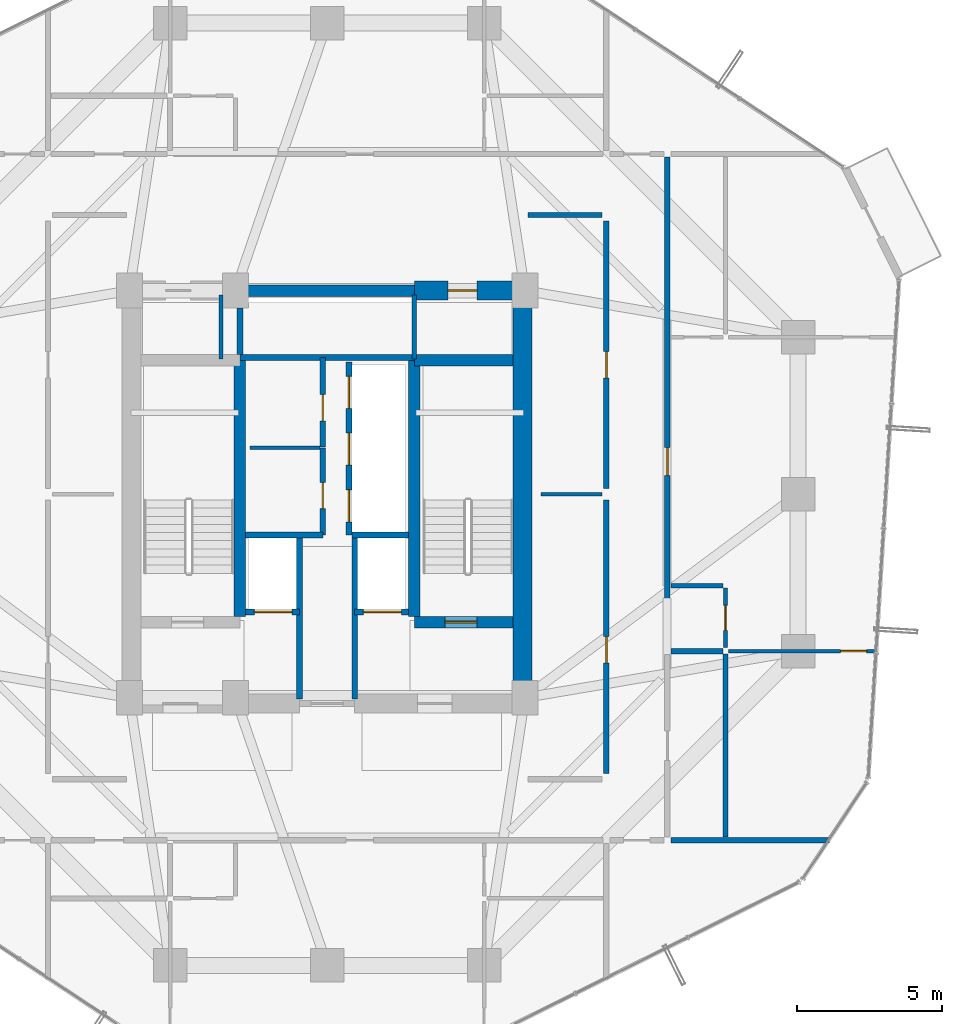
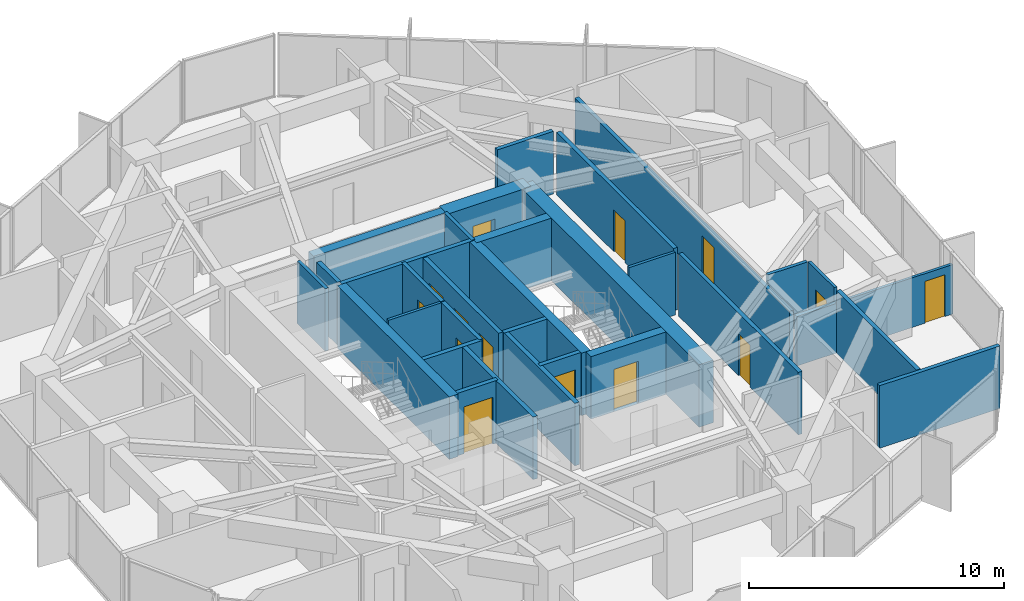
# One storey, part 27 of 30: 32 walls, 14 doors, 14 openings.
"""IFC4 building model written with IfcOpenShell, lengths in metres."""

import ifcopenshell
import ifcopenshell.guid

model = None  # the IFC model being written
_history = None  # IfcOwnerHistory: only IFC2X3 demands one
_inside = {}  # id of a spatial element -> (the spatial element, [elements in it])
_under = {}  # id of a project, library or spatial element -> (it, [spatial elements below it])
_declared = {}  # id of a project -> (the project, [libraries it declares])
_typed = {}  # id of a type object -> (the type object, [elements of that type])
_made_of = {}  # id of a material, layer set ... -> (it, [elements and type objects made of it])


def new_model(schema):
    """Start an empty IFC model of exactly this schema.

    Asked for "IFC4X3", IfcOpenShell would pick the latest addendum, in which some entities
    have other attributes; the version numbers below select the first issue.
    IFC2X3 requires an IfcOwnerHistory on every rooted entity: one is made here for all.
    """
    global model, _history
    if schema == "IFC4X3":
        model = ifcopenshell.file(schema_version=(4, 3, 0, 0))
    else:
        model = ifcopenshell.file(schema=schema)
    _inside.clear()
    _under.clear()
    _declared.clear()
    _typed.clear()
    _made_of.clear()
    _history = None
    if model.schema == "IFC2X3":
        org = make("IfcOrganization", Name="unknown")
        user = make(
            "IfcPersonAndOrganization",
            ThePerson=make("IfcPerson", FamilyName="unknown"),
            TheOrganization=org,
        )
        app = make(
            "IfcApplication",
            ApplicationDeveloper=org,
            Version="unknown",
            ApplicationFullName="unknown",
            ApplicationIdentifier="unknown",
        )
        _history = make(
            "IfcOwnerHistory",
            OwningUser=user,
            OwningApplication=app,
            ChangeAction="ADDED",
            CreationDate=0,
        )
    return model


def make(cls, **values):
    """One entity of the class cls with the attributes given. An attribute that is None is left unset."""
    return model.create_entity(
        cls, **{name: value for name, value in values.items() if value is not None}
    )


def rooted(cls, **values):
    """An entity with a GlobalId (a new one), such as an element, a storey or a relation."""
    return make(cls, GlobalId=ifcopenshell.guid.new(), OwnerHistory=_history, **values)


def si_unit(unit_type, name, prefix=None):
    """IfcSIUnit, for example si_unit("LENGTHUNIT", "METRE", prefix="MILLI")."""
    return make("IfcSIUnit", UnitType=unit_type, Prefix=prefix, Name=name)


def assignment(units):
    """IfcUnitAssignment: the units of a project."""
    return None if units is None else make("IfcUnitAssignment", Units=units)


def point(xyz):
    """IfcCartesianPoint."""
    return None if xyz is None else make("IfcCartesianPoint", Coordinates=xyz)


def direction(xyz):
    """IfcDirection."""
    return None if xyz is None else make("IfcDirection", DirectionRatios=xyz)


def frame(location, z_axis=None, x_axis=None):
    """IfcAxis2Placement3D, a coordinate frame: its origin and axes. An axis left out is left unset."""
    return make(
        "IfcAxis2Placement3D",
        Location=point(location),
        Axis=direction(z_axis),
        RefDirection=direction(x_axis),
    )


def frame_2d(location, x_axis=None):
    """IfcAxis2Placement2D, a coordinate frame in the plane: its origin and x axis."""
    return make(
        "IfcAxis2Placement2D", Location=point(location), RefDirection=direction(x_axis)
    )


def origin():
    """The frame at (0, 0, 0) with its axes left unset."""
    return frame((0.0, 0.0, 0.0))


def place(relative_to, where):
    """IfcLocalPlacement: puts the frame where relative to a parent placement (None: the world)."""
    return make(
        "IfcLocalPlacement", PlacementRelTo=relative_to, RelativePlacement=where
    )


def context(
    kind, dimensions, precision=None, world=None, true_north=None, identifier=None
):
    """IfcGeometricRepresentationContext, for example the 3D "Model" context."""
    return make(
        "IfcGeometricRepresentationContext",
        ContextIdentifier=identifier,
        ContextType=kind,
        CoordinateSpaceDimension=dimensions,
        Precision=precision,
        WorldCoordinateSystem=world,
        TrueNorth=true_north,
    )


def subcontext(parent, identifier, kind, view, scale=None):
    """IfcGeometricRepresentationSubContext, for example "Body" below "Model"."""
    return make(
        "IfcGeometricRepresentationSubContext",
        ContextIdentifier=identifier,
        ContextType=kind,
        ParentContext=parent,
        TargetScale=scale,
        TargetView=view,
    )


def project(units=None, contexts=None):
    """IfcProject with its units and contexts."""
    return rooted(
        "IfcProject",
        Name="project",
        RepresentationContexts=contexts,
        UnitsInContext=assignment(units),
    )


def spatial(cls, under=None, at=None, **own):
    """A site, building, storey or space (cls), placed at a placement, below another one or the project."""
    s = rooted(cls, ObjectPlacement=at, **own)
    if under is not None:
        _under.setdefault(under.id(), (under, []))[1].append(s)
    return s


def profile(cls, at=None, kind="AREA", **sizes):
    """A parametric profile (cls). Its sizes go by their IFC names, for example OverallWidth=200.0."""
    return make(cls, ProfileType=kind, Position=at, **sizes)


def rectangle(**sizes):
    """IfcRectangleProfileDef."""
    return profile("IfcRectangleProfileDef", **sizes)


def extrude(swept, where, along, depth):
    """IfcExtrudedAreaSolid: the profile swept, set in the frame where, extruded along a direction by depth."""
    return make(
        "IfcExtrudedAreaSolid",
        SweptArea=swept,
        Position=where,
        ExtrudedDirection=direction(along),
        Depth=depth,
    )


def shape(context_of_items, identifier, shape_type, items):
    """IfcShapeRepresentation: the items that make up one representation, for example the "Body"."""
    return make(
        "IfcShapeRepresentation",
        ContextOfItems=context_of_items,
        RepresentationIdentifier=identifier,
        RepresentationType=shape_type,
        Items=items,
    )


def source(mapping_origin, context_of_items, identifier, shape_type, items):
    """IfcRepresentationMap: a shape defined once, which mapped items show again and again."""
    return make(
        "IfcRepresentationMap",
        MappingOrigin=mapping_origin,
        MappedRepresentation=shape(context_of_items, identifier, shape_type, items),
    )


def transform(
    local_origin,
    x_axis=None,
    y_axis=None,
    z_axis=None,
    scale=None,
    scale2=None,
    scale3=None,
    uniform=True,
):
    """IfcCartesianTransformationOperator3D, or its non-uniform kind. x_axis, y_axis, z_axis: its Axis1, 2, 3."""
    if uniform:
        return make(
            "IfcCartesianTransformationOperator3D",
            Axis1=direction(x_axis),
            Axis2=direction(y_axis),
            LocalOrigin=point(local_origin),
            Scale=scale,
            Axis3=direction(z_axis),
        )
    return make(
        "IfcCartesianTransformationOperator3DnonUniform",
        Axis1=direction(x_axis),
        Axis2=direction(y_axis),
        LocalOrigin=point(local_origin),
        Scale=scale,
        Axis3=direction(z_axis),
        Scale2=scale2,
        Scale3=scale3,
    )


def mapped(mapping_source, mapping_target):
    """IfcMappedItem: shows the shape of a source again, moved by a transform."""
    return make(
        "IfcMappedItem", MappingSource=mapping_source, MappingTarget=mapping_target
    )


def material(Name=None, Category=None):
    """IfcMaterial."""
    return make("IfcMaterial", Name=Name, Category=Category)


def layer(
    of_material, thickness, ventilated=None, Name=None, Category=None, Priority=None
):
    """IfcMaterialLayer: one layer of a wall or slab, of a material (None: an air gap)."""
    return make(
        "IfcMaterialLayer",
        Material=of_material,
        LayerThickness=thickness,
        IsVentilated=ventilated,
        Name=Name,
        Category=Category,
        Priority=Priority,
    )


def layer_set(layers, Name=None):
    """IfcMaterialLayerSet."""
    return make("IfcMaterialLayerSet", MaterialLayers=layers, LayerSetName=Name)


def made_of(thing, what):
    """Note that an element or type object is made of a material, layer set ...; save() writes the relation."""
    if what is not None:
        _made_of.setdefault(what.id(), (what, []))[1].append(thing)
    return thing


def type_object(cls, material=None, **own):
    """A type object (cls), such as IfcWallType, which elements share."""
    return made_of(rooted(cls, **own), material)


def element(
    cls,
    number,
    at=None,
    inside=None,
    cuts=None,
    type_object=None,
    material=None,
    context=None,
    identifier="Body",
    shape_type=None,
    held_by="IfcProductDefinitionShape",
    body=None,
    shapes=None,
    **own,
):
    """One element of the class cls, such as IfcWall. Its Tag is "e" and its number.

    at: its placement. inside: the storey or other place that contains it. cuts: it is an
    opening in that element (IfcRelVoidsElement). A single representation is given by context,
    identifier, shape_type and body (its items); several are given by shapes. held_by: the class
    of the entity that holds the representations. save() writes the other relations.
    """
    e = rooted(cls, Tag="e%d" % number, ObjectPlacement=at, **own)
    if body is not None:
        shapes = [shape(context, identifier, shape_type, body)]
    if shapes is not None:
        e.Representation = make(held_by, Representations=shapes)
    if inside is not None:
        _inside.setdefault(inside.id(), (inside, []))[1].append(e)
    if cuts is not None:
        rooted(
            "IfcRelVoidsElement", RelatingBuildingElement=cuts, RelatedOpeningElement=e
        )
    if type_object is not None:
        _typed.setdefault(type_object.id(), (type_object, []))[1].append(e)
    return made_of(e, material)


def fill(opening, filler):
    """IfcRelFillsElement: the door or window that sits in an opening."""
    return rooted(
        "IfcRelFillsElement",
        RelatingOpeningElement=opening,
        RelatedBuildingElement=filler,
    )


def aggregate(whole, parts):
    """IfcRelAggregates: a whole, such as a stair, and the parts it consists of."""
    return rooted("IfcRelAggregates", RelatingObject=whole, RelatedObjects=parts)


def save(model, path):
    """Write the relations noted so far, then the file.

    IfcRelAggregates (storeys below a building ...), IfcRelContainedInSpatialStructure (elements
    in a storey), IfcRelDefinesByType, IfcRelAssociatesMaterial and IfcRelDeclares: one each for
    every whole, place, type object, material and project.
    """
    for whole, parts in _under.values():
        aggregate(whole, parts)
    for where, things in _inside.values():
        rooted(
            "IfcRelContainedInSpatialStructure",
            RelatedElements=things,
            RelatingStructure=where,
        )
    for kind, things in _typed.values():
        rooted("IfcRelDefinesByType", RelatedObjects=things, RelatingType=kind)
    for what, things in _made_of.values():
        rooted("IfcRelAssociatesMaterial", RelatedObjects=things, RelatingMaterial=what)
    for by, libraries in _declared.values():
        rooted("IfcRelDeclares", RelatingContext=by, RelatedDefinitions=libraries)
    model.write(path)


model = new_model("IFC4")

# Units and contexts
model_context = context("Model", 3, precision=1e-05, world=origin(), true_north=direction((0.0, 1.0)))
body_context = subcontext(model_context, "Body", "Model", "MODEL_VIEW")
ifc_project = project(units=[si_unit("LENGTHUNIT", "METRE"), si_unit("AREAUNIT", "SQUARE_METRE"), si_unit("VOLUMEUNIT", "CUBIC_METRE"), si_unit("PLANEANGLEUNIT", "RADIAN"), si_unit("MASSUNIT", "GRAM", prefix="KILO")], contexts=[model_context])

# Site, building, storey
site_placement = place(None, origin())
site = spatial("IfcSite", under=ifc_project, at=site_placement, CompositionType="ELEMENT")
building_placement = place(site_placement, origin())
building = spatial("IfcBuilding", under=site, at=building_placement, Name="Veraguas Prism Commons", CompositionType="ELEMENT")
storey_placement = place(building_placement, frame((0.0, 0.0, 116.5)))
storey = spatial("IfcBuildingStorey", under=building, at=storey_placement, Name="L32", CompositionType="ELEMENT", Elevation=116.5)

# Wall
ifc_material_1 = material(Name="Concrete C50/60", Category="concrete")
ifc_layer_1 = layer(ifc_material_1, 0.39990234375, Name="Clinic and Mid Core Shear Wall RC 400", Category="concrete")
ifc_layer_set_1 = layer_set([ifc_layer_1], Name="Concrete C50/60")
wall_type_1 = type_object("IfcWallType", Name="Clinic and Mid Core Shear Wall RC 400", PredefinedType="SHEAR", material=ifc_layer_set_1)
wall_1_placement = place(storey_placement, frame((21.0, 31.0, 0.0), z_axis=(0.0, 0.0, 1.0), x_axis=(1.0, 0.0, 0.0)))
element("IfcWall", 1, at=wall_1_placement, inside=storey, type_object=wall_type_1, Name="High-Rise Lift Bank Front Shear Wall L32", PredefinedType="SHEAR", context=body_context, shape_type="SweptSolid", body=[
    extrude(rectangle(XDim=6.0, YDim=0.39990234375, at=frame_2d((3.0, 0.0))), origin(), (0.0, 0.0, 1.0), 3.0),
])

# Wall, opening, door
wall_2_placement = place(storey_placement, frame((27.0, 19.60009765625, 0.0), z_axis=(0.0, 0.0, 1.0), x_axis=(1.0, 0.0, 0.0)))
wall_2 = element("IfcWall", 2, at=wall_2_placement, inside=storey, type_object=wall_type_1, Name="Stair ST-02 South Shear Wall L32", PredefinedType="SHEAR", context=body_context, shape_type="SweptSolid", body=[
    extrude(rectangle(XDim=3.39990234375, YDim=0.39990234375, at=frame_2d((1.699951171875, 0.0))), origin(), (0.0, 0.0, 1.0), 3.0),
])
opening_1_placement = place(wall_2_placement, frame((1.050048828125, 0.0, 0.0)))
opening_1 = element("IfcOpeningElement", 3, at=opening_1_placement, cuts=wall_2, Name="Opening DR-05", PredefinedType="OPENING", context=body_context, shape_type="SweptSolid", body=[
    extrude(rectangle(XDim=1.10009765625, YDim=2.030029296875, at=frame_2d((0.550048828125, 1.01513671875))), frame((0.0, 0.2099609375, 0.0), z_axis=(0.0, -1.0, 0.0), x_axis=(1.0, 0.0, 0.0)), (0.0, 0.0, 1.0), 0.419921875),
])
ifc_material_2 = material(Name="Steel fire-rated door assembly", Category="steel")
door_type_1 = type_object("IfcDoorType", Name="Protected Stair and Refuge Fire Door 1100x2030", OperationType="NOTDEFINED", PredefinedType="DOOR", material=ifc_material_2)
shared_shape_1 = source(origin(), body_context, "Body", "SweptSolid", [
    extrude(rectangle(XDim=1.10009765625, YDim=2.030029296875, at=frame_2d((0.550048828125, 1.01513671875))), frame((0.0, 0.02490234375, 0.0), z_axis=(0.0, -1.0, 0.0), x_axis=(1.0, 0.0, 0.0)), (0.0, 0.0, 1.0), 0.050048828125),
])
door_1_placement = place(opening_1_placement, origin())
door_1 = element("IfcDoor", 4, at=door_1_placement, inside=storey, type_object=door_type_1, Name="Stair ST-02 Enclosure Door L32", OperationType="SINGLE_SWING_RIGHT", OverallHeight=2.030029296875, OverallWidth=1.10009765625, PredefinedType="DOOR", context=body_context, shape_type="MappedRepresentation", body=[
    mapped(shared_shape_1, transform((0.0, 0.0, 0.0), scale=1.0)),
])
fill(opening_1, door_1)

# Walls
for number, where, z_axis, x_axis, name in (
    (5, (21.0, 19.800048828125, 0.0), (0.0, 0.0, 1.0), (0.0, 1.0, 0.0), "Stair ST-01 Inner Shear Wall L32"),
    (6, (27.0, 19.800048828125, 0.0), (0.0, 0.0, 1.0), (0.0, 1.0, 0.0), "Stair ST-02 Inner Shear Wall L32"),
):
    element("IfcWall", number, at=place(storey_placement, frame(where, z_axis=z_axis, x_axis=x_axis)), inside=storey, type_object=wall_type_1, Name=name, PredefinedType="SHEAR", context=body_context, shape_type="SweptSolid", body=[
        extrude(rectangle(XDim=8.800048828125, YDim=0.39990234375, at=frame_2d((4.39990234375, 0.0))), origin(), (0.0, 0.0, 1.0), 3.0),
    ])
wall_3_placement = place(storey_placement, frame((27.0, 28.60009765625, 0.0), z_axis=(0.0, 0.0, 1.0), x_axis=(1.0, 0.0, 0.0)))
element("IfcWall", 7, at=wall_3_placement, inside=storey, type_object=wall_type_1, Name="Stair ST-02 North Shear Wall L32", PredefinedType="SHEAR", context=body_context, shape_type="SweptSolid", body=[
    extrude(rectangle(XDim=3.39990234375, YDim=0.39990234375, at=frame_2d((1.699951171875, 0.0))), origin(), (0.0, 0.0, 1.0), 3.0),
])
ifc_material_3 = material(Name="Concrete C55/67", Category="concrete")
ifc_layer_2 = layer(ifc_material_3, 0.64990234375, Name="Core Outer Shear Wall Mid RC 650", Category="concrete")
ifc_layer_set_2 = layer_set([ifc_layer_2], Name="Concrete C55/67")
wall_type_2 = type_object("IfcWallType", Name="Core Outer Shear Wall Mid RC 650", PredefinedType="SHEAR", material=ifc_layer_set_2)
wall_4_placement = place(storey_placement, frame((30.72509765625, 16.800048828125, 0.0), z_axis=(0.0, 0.0, 1.0), x_axis=(0.0, 1.0, 0.0)))
element("IfcWall", 8, at=wall_4_placement, inside=storey, type_object=wall_type_2, Name="Central Core East Shear Wall L32", PredefinedType="SHEAR", context=body_context, shape_type="SweptSolid", body=[
    extrude(rectangle(XDim=14.199951171875, YDim=0.64990234375, at=frame_2d((7.10009765625, 0.0))), origin(), (0.0, 0.0, 1.0), 3.0),
])

# Wall, opening, door
wall_5_placement = place(storey_placement, frame((27.0, 31.0, 0.0), z_axis=(0.0, 0.0, 1.0), x_axis=(1.0, 0.0, 0.0)))
wall_5 = element("IfcWall", 9, at=wall_5_placement, inside=storey, type_object=wall_type_2, Name="Central Core North-East Shear Wall L32", PredefinedType="SHEAR", context=body_context, shape_type="SweptSolid", body=[
    extrude(rectangle(XDim=3.800048828125, YDim=0.64990234375, at=frame_2d((1.89990234375, 0.0))), origin(), (0.0, 0.0, 1.0), 3.0),
])
opening_2_placement = place(wall_5_placement, frame((1.14990234375, 0.0, 0.0)))
opening_2 = element("IfcOpeningElement", 10, at=opening_2_placement, cuts=wall_5, Name="Opening DR-13", PredefinedType="OPENING", context=body_context, shape_type="SweptSolid", body=[
    extrude(rectangle(XDim=1.0, YDim=2.010009765625, at=frame_2d((0.5, 1.0048828125))), frame((0.0, 0.3349609375, 0.0), z_axis=(0.0, -1.0, 0.0), x_axis=(1.0, 0.0, 0.0)), (0.0, 0.0, 1.0), 0.669921875),
])
door_type_2 = type_object("IfcDoorType", Name="Core Accessible WC and Clinic Fire Door 1000x2010", OperationType="NOTDEFINED", PredefinedType="DOOR", material=ifc_material_2)
shared_shape_2 = source(origin(), body_context, "Body", "SweptSolid", [
    extrude(rectangle(XDim=1.0, YDim=2.010009765625, at=frame_2d((0.5, 1.0048828125))), frame((0.0, 0.02490234375, 0.0), z_axis=(0.0, -1.0, 0.0), x_axis=(1.0, 0.0, 0.0)), (0.0, 0.0, 1.0), 0.050048828125),
])
door_2_placement = place(opening_2_placement, origin())
door_2 = element("IfcDoor", 11, at=door_2_placement, inside=storey, type_object=door_type_2, Name="Core NE Pantry Door L32", OperationType="SINGLE_SWING_RIGHT", OverallHeight=2.010009765625, OverallWidth=1.0, PredefinedType="DOOR", context=body_context, shape_type="MappedRepresentation", body=[
    mapped(shared_shape_2, transform((0.0, 0.0, 0.0), scale=1.0)),
])
fill(opening_2, door_2)

ifc_material_4 = material(Name="Autoclaved aerated masonry block 10 MPa", Category="masonry")
ifc_layer_3 = layer(ifc_material_4, 0.179931640625, Name="Corridor and Inter-Tenancy Partition 180", Category="masonry")
ifc_layer_set_3 = layer_set([ifc_layer_3], Name="Autoclaved aerated masonry block 10 MPa")
wall_type_3 = type_object("IfcWallType", Name="Corridor and Inter-Tenancy Partition 180", PredefinedType="PARTITIONING", material=ifc_layer_set_3)
wall_6_placement = place(storey_placement, frame((23.85009765625, 22.60009765625, 0.0), z_axis=(0.0, 0.0, 1.0), x_axis=(0.0, 1.0, 0.0)))
wall_6 = element("IfcWall", 12, at=wall_6_placement, inside=storey, type_object=wall_type_3, Name="Co-op Pantry Partition L32", PredefinedType="PARTITIONING", context=body_context, shape_type="SweptSolid", body=[
    extrude(rectangle(XDim=2.97998046875, YDim=0.179931640625, at=frame_2d((1.489990234375, 0.0))), origin(), (0.0, 0.0, 1.0), 3.0),
])
opening_3_placement = place(wall_6_placement, frame((0.89990234375, 0.0, 0.0)))
opening_3 = element("IfcOpeningElement", 13, at=opening_3_placement, cuts=wall_6, Name="Opening DR-14", PredefinedType="OPENING", context=body_context, shape_type="SweptSolid", body=[
    extrude(rectangle(XDim=0.89990234375, YDim=2.010009765625, at=frame_2d((0.449951171875, 1.0048828125))), frame((0.0, 0.099853515625, 0.0), z_axis=(0.0, -1.0, 0.0), x_axis=(1.0, 0.0, 0.0)), (0.0, 0.0, 1.0), 0.199951171875),
])
door_type_3 = type_object("IfcDoorType", Name="Core Service Room Fire Door 900x2010", OperationType="NOTDEFINED", PredefinedType="DOOR", material=ifc_material_2)
shared_shape_3 = source(origin(), body_context, "Body", "SweptSolid", [
    extrude(rectangle(XDim=0.89990234375, YDim=2.010009765625, at=frame_2d((0.449951171875, 1.0048828125))), frame((0.0, 0.02490234375, 0.0), z_axis=(0.0, -1.0, 0.0), x_axis=(1.0, 0.0, 0.0)), (0.0, 0.0, 1.0), 0.050048828125),
])
door_3_placement = place(opening_3_placement, origin())
door_3 = element("IfcDoor", 14, at=door_3_placement, inside=storey, type_object=door_type_3, Name="Co-op Pantry Door L32", OperationType="SINGLE_SWING_LEFT", OverallHeight=2.010009765625, OverallWidth=0.89990234375, PredefinedType="DOOR", context=body_context, shape_type="MappedRepresentation", body=[
    mapped(shared_shape_3, transform((0.0, 0.0, 0.0), scale=1.0)),
])
fill(opening_3, door_3)

wall_7_placement = place(storey_placement, frame((23.85009765625, 25.6201171875, 0.0), z_axis=(0.0, 0.0, 1.0), x_axis=(0.0, 1.0, 0.0)))
wall_7 = element("IfcWall", 15, at=wall_7_placement, inside=storey, type_object=wall_type_3, Name="Bookshop Alcove Partition L32", PredefinedType="PARTITIONING", context=body_context, shape_type="SweptSolid", body=[
    extrude(rectangle(XDim=3.079833984375, YDim=0.179931640625, at=frame_2d((1.5400390625, 0.0))), origin(), (0.0, 0.0, 1.0), 3.0),
])
opening_4_placement = place(wall_7_placement, frame((0.89990234375, 0.0, 0.0)))
opening_4 = element("IfcOpeningElement", 16, at=opening_4_placement, cuts=wall_7, Name="Opening DR-14", PredefinedType="OPENING", context=body_context, shape_type="SweptSolid", body=[
    extrude(rectangle(XDim=0.89990234375, YDim=2.010009765625, at=frame_2d((0.449951171875, 1.0048828125))), frame((0.0, 0.099853515625, 0.0), z_axis=(0.0, -1.0, 0.0), x_axis=(1.0, 0.0, 0.0)), (0.0, 0.0, 1.0), 0.199951171875),
])
door_4_placement = place(opening_4_placement, origin())
door_4 = element("IfcDoor", 17, at=door_4_placement, inside=storey, type_object=door_type_3, Name="Bookshop Alcove Door L32", OperationType="SINGLE_SWING_RIGHT", OverallHeight=2.010009765625, OverallWidth=0.89990234375, PredefinedType="DOOR", context=body_context, shape_type="MappedRepresentation", body=[
    mapped(shared_shape_3, transform((0.0, 0.0, 0.0), scale=1.0)),
])
fill(opening_4, door_4)

wall_8_placement = place(storey_placement, frame((33.60009765625, 14.39990234375, 0.0), z_axis=(0.0, 0.0, 1.0), x_axis=(0.0, 1.0, 0.0)))
wall_8 = element("IfcWall", 18, at=wall_8_placement, inside=storey, type_object=wall_type_3, Name="WL-L32-IRE1", PredefinedType="PARTITIONING", context=body_context, shape_type="SweptSolid", body=[
    extrude(rectangle(XDim=9.400146484375, YDim=0.179931640625, at=frame_2d((4.7001953125, 0.0))), origin(), (0.0, 0.0, 1.0), 3.0),
])
opening_5_placement = place(wall_8_placement, frame((3.800048828125, 0.0, 0.0)))
opening_5 = element("IfcOpeningElement", 19, at=opening_5_placement, cuts=wall_8, Name="Opening DR-14", PredefinedType="OPENING", context=body_context, shape_type="SweptSolid", body=[
    extrude(rectangle(XDim=0.89990234375, YDim=2.010009765625, at=frame_2d((0.449951171875, 1.0048828125))), frame((0.0, 0.099853515625, 0.0), z_axis=(0.0, -1.0, 0.0), x_axis=(1.0, 0.0, 0.0)), (0.0, 0.0, 1.0), 0.199951171875),
])
door_5_placement = place(opening_5_placement, origin())
door_5 = element("IfcDoor", 20, at=door_5_placement, inside=storey, type_object=door_type_3, Name="Shared Laundry Annex Door L32", OperationType="SINGLE_SWING_LEFT", OverallHeight=2.010009765625, OverallWidth=0.89990234375, PredefinedType="DOOR", context=body_context, shape_type="MappedRepresentation", body=[
    mapped(shared_shape_3, transform((0.0, 0.0, 0.0), scale=1.0)),
])
fill(opening_5, door_5)

wall_9_placement = place(storey_placement, frame((33.60009765625, 24.199951171875, 0.0), z_axis=(0.0, 0.0, 1.0), x_axis=(0.0, 1.0, 0.0)))
wall_9 = element("IfcWall", 21, at=wall_9_placement, inside=storey, type_object=wall_type_3, Name="WL-L32-IRE2", PredefinedType="PARTITIONING", context=body_context, shape_type="SweptSolid", body=[
    extrude(rectangle(XDim=9.199951171875, YDim=0.179931640625, at=frame_2d((4.60009765625, 0.0))), origin(), (0.0, 0.0, 1.0), 3.0),
])
opening_6_placement = place(wall_9_placement, frame((3.800048828125, 0.0, 0.0)))
opening_6 = element("IfcOpeningElement", 22, at=opening_6_placement, cuts=wall_9, Name="Opening DR-14", PredefinedType="OPENING", context=body_context, shape_type="SweptSolid", body=[
    extrude(rectangle(XDim=0.89990234375, YDim=2.010009765625, at=frame_2d((0.449951171875, 1.0048828125))), frame((0.0, 0.099853515625, 0.0), z_axis=(0.0, -1.0, 0.0), x_axis=(1.0, 0.0, 0.0)), (0.0, 0.0, 1.0), 0.199951171875),
])
door_6_placement = place(opening_6_placement, origin())
door_6 = element("IfcDoor", 23, at=door_6_placement, inside=storey, type_object=door_type_3, Name="Community Reading Alcove Door L32", OperationType="SINGLE_SWING_RIGHT", OverallHeight=2.010009765625, OverallWidth=0.89990234375, PredefinedType="DOOR", context=body_context, shape_type="MappedRepresentation", body=[
    mapped(shared_shape_3, transform((0.0, 0.0, 0.0), scale=1.0)),
])
fill(opening_6, door_6)

# Walls
wall_10_placement = place(storey_placement, frame((30.89990234375, 33.60009765625, 0.0), z_axis=(0.0, 0.0, 1.0), x_axis=(1.0, 0.0, 0.0)))
element("IfcWall", 24, at=wall_10_placement, inside=storey, type_object=wall_type_3, Name="WL-L32-IREN", PredefinedType="PARTITIONING", context=body_context, shape_type="SweptSolid", body=[
    extrude(rectangle(XDim=2.550048828125, YDim=0.179931640625, at=frame_2d((1.27490234375, 0.0))), origin(), (0.0, 0.0, 1.0), 3.0),
])
wall_11_placement = place(storey_placement, frame((35.820068359375, 12.10009765625, 0.0), z_axis=(0.0, 0.0, 1.0), x_axis=(1.0, 0.0, 0.0)))
element("IfcWall", 25, at=wall_11_placement, inside=storey, type_object=wall_type_3, Name="WL-L32-PT034", PredefinedType="PARTITIONING", context=body_context, shape_type="SweptSolid", body=[
    extrude(rectangle(XDim=5.4638671875, YDim=0.179931640625, at=frame_2d((2.73193359375, 0.0))), origin(), (0.0, 0.0, 1.0), 3.0),
])

# Wall, opening, door
wall_12_placement = place(storey_placement, frame((35.699951171875, 18.7099609375, 0.0), z_axis=(0.0, 0.0, 1.0), x_axis=(0.0, 1.0, 0.0)))
wall_12 = element("IfcWall", 26, at=wall_12_placement, inside=storey, type_object=wall_type_3, Name="WL-L32-PT037", PredefinedType="PARTITIONING", context=body_context, shape_type="SweptSolid", body=[
    extrude(rectangle(XDim=16.880126953125, YDim=0.179931640625, at=frame_2d((8.43994140625, 0.0))), origin(), (0.0, 0.0, 1.0), 2.580078125),
])
opening_7_placement = place(wall_12_placement, frame((5.93994140625, 0.0, 0.0)))
opening_7 = element("IfcOpeningElement", 27, at=opening_7_placement, cuts=wall_12, Name="Opening DR-01", PredefinedType="OPENING", context=body_context, shape_type="SweptSolid", body=[
    extrude(rectangle(XDim=0.949951171875, YDim=2.02001953125, at=frame_2d((0.47509765625, 1.010009765625))), frame((0.0, 0.099853515625, 0.0), z_axis=(0.0, -1.0, 0.0), x_axis=(1.0, 0.0, 0.0)), (0.0, 0.0, 1.0), 0.199951171875),
])
ifc_material_5 = material(Name="Anodised aluminium EN AW-6063 T6", Category="aluminium")
door_type_4 = type_object("IfcDoorType", Name="Apartment Entrance Fire Door 950x2020", OperationType="NOTDEFINED", PredefinedType="DOOR", material=ifc_material_5)
shared_shape_4 = source(origin(), body_context, "Body", "SweptSolid", [
    extrude(rectangle(XDim=0.949951171875, YDim=2.02001953125, at=frame_2d((0.47509765625, 1.010009765625))), frame((0.0, 0.02490234375, 0.0), z_axis=(0.0, -1.0, 0.0), x_axis=(1.0, 0.0, 0.0)), (0.0, 0.0, 1.0), 0.050048828125),
])
door_7_placement = place(opening_7_placement, origin())
door_7 = element("IfcDoor", 28, at=door_7_placement, inside=storey, type_object=door_type_4, Name="Flat 32C Entrance Door", OperationType="SINGLE_SWING_RIGHT", OverallHeight=2.02001953125, OverallWidth=0.949951171875, PredefinedType="DOOR", context=body_context, shape_type="MappedRepresentation", body=[
    mapped(shared_shape_4, transform((0.0, 0.0, 0.0), scale=1.0)),
])
fill(opening_7, door_7)

# Walls
wall_13_placement = place(storey_placement, frame((37.699951171875, 12.219970703125, 0.0), z_axis=(0.0, 0.0, 1.0), x_axis=(0.0, 1.0, 0.0)))
element("IfcWall", 29, at=wall_13_placement, inside=storey, type_object=wall_type_3, Name="WL-L32-PT038", PredefinedType="PARTITIONING", context=body_context, shape_type="SweptSolid", body=[
    extrude(rectangle(XDim=6.280029296875, YDim=0.179931640625, at=frame_2d((3.14013671875, 0.0))), origin(), (0.0, 0.0, 1.0), 3.0),
])
wall_14_placement = place(storey_placement, frame((35.820068359375, 18.60009765625, 0.0), z_axis=(0.0, 0.0, 1.0), x_axis=(1.0, 0.0, 0.0)))
element("IfcWall", 30, at=wall_14_placement, inside=storey, type_object=wall_type_3, Name="WL-L32-PT039", PredefinedType="PARTITIONING", context=body_context, shape_type="SweptSolid", body=[
    extrude(rectangle(XDim=1.800048828125, YDim=0.179931640625, at=frame_2d((0.89990234375, 0.0))), origin(), (0.0, 0.0, 1.0), 2.3779296875),
])
ifc_material_6 = material(Name="Lightweight acoustic gypsum board")
ifc_layer_4 = layer(ifc_material_6, 0.125, Name="Internal Apartment Room Partition 125")
ifc_layer_set_4 = layer_set([ifc_layer_4], Name="Lightweight acoustic gypsum board")
wall_type_4 = type_object("IfcWallType", Name="Internal Apartment Room Partition 125", PredefinedType="PARTITIONING", material=ifc_layer_set_4)
wall_15_placement = place(storey_placement, frame((21.35009765625, 25.60009765625, 0.0), z_axis=(0.0, 0.0, 1.0), x_axis=(1.0, 0.0, 0.0)))
element("IfcWall", 31, at=wall_15_placement, inside=storey, type_object=wall_type_4, Name="WL-L32-FRWLM", PredefinedType="PARTITIONING", context=body_context, shape_type="SweptSolid", body=[
    extrude(rectangle(XDim=2.39990234375, YDim=0.125, at=frame_2d((1.199951171875, 0.0))), origin(), (0.0, 0.0, 1.0), 3.0),
])
wall_16_placement = place(storey_placement, frame((31.35009765625, 24.0, 0.0), z_axis=(0.0, 0.0, 1.0), x_axis=(1.0, 0.0, 0.0)))
element("IfcWall", 32, at=wall_16_placement, inside=storey, type_object=wall_type_4, Name="WL-L32-IREM", PredefinedType="PARTITIONING", context=body_context, shape_type="SweptSolid", body=[
    extrude(rectangle(XDim=2.099853515625, YDim=0.125, at=frame_2d((1.0498046875, 0.0))), origin(), (0.0, 0.0, 1.0), 3.0),
])

# Wall, opening, door
wall_17_placement = place(storey_placement, frame((37.800048828125, 18.60009765625, 0.0), z_axis=(0.0, 0.0, 1.0), x_axis=(1.0, 0.0, 0.0)))
wall_17 = element("IfcWall", 33, at=wall_17_placement, inside=storey, type_object=wall_type_4, Name="WL-L32-PT040", PredefinedType="PARTITIONING", context=body_context, shape_type="SweptSolid", body=[
    extrude(rectangle(XDim=5.114990234375, YDim=0.125, at=frame_2d((2.5576171875, 0.0))), origin(), (0.0, 0.0, 1.0), 2.3779296875),
])
opening_8_placement = place(wall_17_placement, frame((3.856201171875, 0.0, 0.0)))
opening_8 = element("IfcOpeningElement", 34, at=opening_8_placement, cuts=wall_17, Name="Opening DR-02", PredefinedType="OPENING", context=body_context, shape_type="SweptSolid", body=[
    extrude(rectangle(XDim=0.89990234375, YDim=2.010009765625, at=frame_2d((0.449951171875, 1.0048828125))), frame((0.0, 0.072509765625, 0.0), z_axis=(0.0, -1.0, 0.0), x_axis=(1.0, 0.0, 0.0)), (0.0, 0.0, 1.0), 0.14501953125),
])
ifc_material_7 = material(Name="Timber solid core hardwood", Category="wood")
door_type_5 = type_object("IfcDoorType", Name="Internal Habitable Room Door 900x2010", OperationType="NOTDEFINED", PredefinedType="DOOR", material=ifc_material_7)
door_8_placement = place(opening_8_placement, origin())
door_8 = element("IfcDoor", 35, at=door_8_placement, inside=storey, type_object=door_type_5, Name="Flat 32C Bedroom 2 Door", OperationType="SINGLE_SWING_LEFT", OverallHeight=2.010009765625, OverallWidth=0.89990234375, PredefinedType="DOOR", context=body_context, shape_type="MappedRepresentation", body=[
    mapped(shared_shape_3, transform((0.0, 0.0, 0.0), scale=1.0)),
])
fill(opening_8, door_8)

wall_18_placement = place(storey_placement, frame((37.699951171875, 18.719970703125, 0.0), z_axis=(0.0, 0.0, 1.0), x_axis=(0.0, 1.0, 0.0)))
wall_18 = element("IfcWall", 36, at=wall_18_placement, inside=storey, type_object=wall_type_4, Name="WL-L32-PT042", PredefinedType="PARTITIONING", context=body_context, shape_type="SweptSolid", body=[
    extrude(rectangle(XDim=2.050048828125, YDim=0.125, at=frame_2d((1.02490234375, 0.0))), origin(), (0.0, 0.0, 1.0), 3.0),
])
opening_9_placement = place(wall_18_placement, frame((0.594970703125, 0.0, 0.0)))
opening_9 = element("IfcOpeningElement", 37, at=opening_9_placement, cuts=wall_18, Name="Opening DR-03", PredefinedType="OPENING", context=body_context, shape_type="SweptSolid", body=[
    extrude(rectangle(XDim=0.860107421875, YDim=2.010009765625, at=frame_2d((0.43017578125, 1.0048828125))), frame((0.0, 0.072509765625, 0.0), z_axis=(0.0, -1.0, 0.0), x_axis=(1.0, 0.0, 0.0)), (0.0, 0.0, 1.0), 0.14501953125),
])
ifc_material_8 = material(Name="Timber moisture-resistant leaf", Category="wood")
door_type_6 = type_object("IfcDoorType", Name="Internal Bathroom Door 860x2010", OperationType="NOTDEFINED", PredefinedType="DOOR", material=ifc_material_8)
shared_shape_5 = source(origin(), body_context, "Body", "SweptSolid", [
    extrude(rectangle(XDim=0.860107421875, YDim=2.010009765625, at=frame_2d((0.43017578125, 1.0048828125))), frame((0.0, 0.02490234375, 0.0), z_axis=(0.0, -1.0, 0.0), x_axis=(1.0, 0.0, 0.0)), (0.0, 0.0, 1.0), 0.050048828125),
])
door_9_placement = place(opening_9_placement, origin())
door_9 = element("IfcDoor", 38, at=door_9_placement, inside=storey, type_object=door_type_6, Name="Flat 32C Bathroom Door", OperationType="SINGLE_SWING_RIGHT", OverallHeight=2.010009765625, OverallWidth=0.860107421875, PredefinedType="DOOR", context=body_context, shape_type="MappedRepresentation", body=[
    mapped(shared_shape_5, transform((0.0, 0.0, 0.0), scale=1.0)),
])
fill(opening_9, door_9)

ifc_layer_5 = layer(ifc_material_4, 0.199951171875, Name="Rated Shaft and Lobby Block Wall 200", Category="masonry")
ifc_layer_set_5 = layer_set([ifc_layer_5], Name="Autoclaved aerated masonry block 10 MPa")
wall_type_5 = type_object("IfcWallType", Name="Rated Shaft and Lobby Block Wall 200", PredefinedType="SOLIDWALL", material=ifc_layer_set_5)
wall_19_placement = place(storey_placement, frame((21.199951171875, 19.949951171875, 0.0), z_axis=(0.0, 0.0, 1.0), x_axis=(1.0, 0.0, 0.0)))
wall_19 = element("IfcWall", 39, at=wall_19_placement, inside=storey, type_object=wall_type_5, Name="Firefighting Lift FFL-1 Front Wall L32", PredefinedType="SOLIDWALL", context=body_context, shape_type="SweptSolid", body=[
    extrude(rectangle(XDim=1.85009765625, YDim=0.199951171875, at=frame_2d((0.925048828125, 0.0))), origin(), (0.0, 0.0, 1.0), 3.0),
])
opening_10_placement = place(wall_19_placement, frame((0.300048828125, 0.0, 0.0)))
opening_10 = element("IfcOpeningElement", 40, at=opening_10_placement, cuts=wall_19, Name="Opening LD-02", PredefinedType="OPENING", context=body_context, shape_type="SweptSolid", body=[
    extrude(rectangle(XDim=1.300048828125, YDim=2.25, at=frame_2d((0.64990234375, 1.125))), frame((0.0, 0.10986328125, 0.0), z_axis=(0.0, -1.0, 0.0), x_axis=(1.0, 0.0, 0.0)), (0.0, 0.0, 1.0), 0.219970703125),
])
ifc_material_9 = material(Name="Stainless steel AISI 316", Category="steel")
door_type_7 = type_object("IfcDoorType", Name="Firefighting Lift Sliding Landing Door 1300x2250", OperationType="NOTDEFINED", PredefinedType="DOOR", material=ifc_material_9)
shared_shape_6 = source(origin(), body_context, "Body", "SweptSolid", [
    extrude(rectangle(XDim=1.300048828125, YDim=2.25, at=frame_2d((0.64990234375, 1.125))), frame((0.0, 0.02490234375, 0.0), z_axis=(0.0, -1.0, 0.0), x_axis=(1.0, 0.0, 0.0)), (0.0, 0.0, 1.0), 0.050048828125),
])
door_10_placement = place(opening_10_placement, origin())
door_10 = element("IfcDoor", 41, at=door_10_placement, inside=storey, type_object=door_type_7, Name="Firefighting Lift FFL-1 Landing Door L32", OperationType="SLIDING_TO_LEFT", OverallHeight=2.25, OverallWidth=1.300048828125, PredefinedType="DOOR", context=body_context, shape_type="MappedRepresentation", body=[
    mapped(shared_shape_6, transform((0.0, 0.0, 0.0), scale=1.0)),
])
fill(opening_10, door_10)

wall_20_placement = place(storey_placement, frame((24.949951171875, 19.949951171875, 0.0), z_axis=(0.0, 0.0, 1.0), x_axis=(1.0, 0.0, 0.0)))
wall_20 = element("IfcWall", 42, at=wall_20_placement, inside=storey, type_object=wall_type_5, Name="Firefighting Lift FFL-2 Front Wall L32", PredefinedType="SOLIDWALL", context=body_context, shape_type="SweptSolid", body=[
    extrude(rectangle(XDim=1.85009765625, YDim=0.199951171875, at=frame_2d((0.925048828125, 0.0))), origin(), (0.0, 0.0, 1.0), 3.0),
])
opening_11_placement = place(wall_20_placement, frame((0.300048828125, 0.0, 0.0)))
opening_11 = element("IfcOpeningElement", 43, at=opening_11_placement, cuts=wall_20, Name="Opening LD-02", PredefinedType="OPENING", context=body_context, shape_type="SweptSolid", body=[
    extrude(rectangle(XDim=1.300048828125, YDim=2.25, at=frame_2d((0.64990234375, 1.125))), frame((0.0, 0.10986328125, 0.0), z_axis=(0.0, -1.0, 0.0), x_axis=(1.0, 0.0, 0.0)), (0.0, 0.0, 1.0), 0.219970703125),
])
door_11_placement = place(opening_11_placement, origin())
door_11 = element("IfcDoor", 44, at=door_11_placement, inside=storey, type_object=door_type_7, Name="Firefighting Lift FFL-2 Front Wall L32", OperationType="SLIDING_TO_LEFT", OverallHeight=2.25, OverallWidth=1.300048828125, PredefinedType="DOOR", context=body_context, shape_type="MappedRepresentation", body=[
    mapped(shared_shape_6, transform((0.0, 0.0, 0.0), scale=1.0)),
])
fill(opening_11, door_11)

# Walls
for number, where, z_axis, x_axis, name in (
    (45, (23.050048828125, 16.949951171875, 0.0), (0.0, 0.0, 1.0), (0.0, 1.0, 0.0), "West FF Lobby Divider Wall L32"),
    (46, (24.949951171875, 16.949951171875, 0.0), (0.0, 0.0, 1.0), (0.0, 1.0, 0.0), "East FF Lobby Divider Wall L32"),
):
    element("IfcWall", number, at=place(storey_placement, frame(where, z_axis=z_axis, x_axis=x_axis)), inside=storey, type_object=wall_type_5, Name=name, PredefinedType="SOLIDWALL", context=body_context, shape_type="SweptSolid", body=[
        extrude(rectangle(XDim=5.60009765625, YDim=0.199951171875, at=frame_2d((2.800048828125, 0.0))), origin(), (0.0, 0.0, 1.0), 3.0),
    ])
wall_21_placement = place(storey_placement, frame((21.199951171875, 22.60009765625, 0.0), z_axis=(0.0, 0.0, 1.0), x_axis=(1.0, 0.0, 0.0)))
element("IfcWall", 47, at=wall_21_placement, inside=storey, type_object=wall_type_5, Name="Firefighting Lift FFL-1 Rear Wall L32", PredefinedType="SOLIDWALL", context=body_context, shape_type="SweptSolid", body=[
    extrude(rectangle(XDim=2.650146484375, YDim=0.199951171875, at=frame_2d((1.3251953125, 0.0))), origin(), (0.0, 0.0, 1.0), 3.0),
])
wall_22_placement = place(storey_placement, frame((24.85009765625, 22.60009765625, 0.0), z_axis=(0.0, 0.0, 1.0), x_axis=(1.0, 0.0, 0.0)))
element("IfcWall", 48, at=wall_22_placement, inside=storey, type_object=wall_type_5, Name="Firefighting Lift FFL-2 Rear Wall L32", PredefinedType="SOLIDWALL", context=body_context, shape_type="SweptSolid", body=[
    extrude(rectangle(XDim=1.949951171875, YDim=0.199951171875, at=frame_2d((0.97509765625, 0.0))), origin(), (0.0, 0.0, 1.0), 3.0),
])
wall_23_placement = place(storey_placement, frame((21.0, 28.699951171875, 0.0), z_axis=(0.0, 0.0, 1.0), x_axis=(1.0, 0.0, 0.0)))
element("IfcWall", 49, at=wall_23_placement, inside=storey, type_object=wall_type_5, Name="High-Rise Lift Bank Rear Shaft Wall L32", PredefinedType="SOLIDWALL", context=body_context, shape_type="SweptSolid", body=[
    extrude(rectangle(XDim=6.0, YDim=0.199951171875, at=frame_2d((3.0, 0.0))), origin(), (0.0, 0.0, 1.0), 3.0),
])
wall_24_placement = place(storey_placement, frame((21.0, 28.800048828125, 0.0), z_axis=(0.0, 0.0, 1.0), x_axis=(0.0, 1.0, 0.0)))
element("IfcWall", 50, at=wall_24_placement, inside=storey, type_object=wall_type_5, Name="High-Rise Lift Bank West Shaft Wall L32", PredefinedType="SOLIDWALL", context=body_context, shape_type="SweptSolid", body=[
    extrude(rectangle(XDim=1.599853515625, YDim=0.199951171875, at=frame_2d((0.7998046875, 0.0))), origin(), (0.0, 0.0, 1.0), 3.0),
])

# Wall, openings, doors
wall_25_placement = place(storey_placement, frame((24.75, 22.60009765625, 0.0), z_axis=(0.0, 0.0, 1.0), x_axis=(0.0, 1.0, 0.0)))
wall_25 = element("IfcWall", 51, at=wall_25_placement, inside=storey, type_object=wall_type_5, Name="Mid-Rise Lift Bank Front Wall L32", PredefinedType="SOLIDWALL", context=body_context, shape_type="SweptSolid", body=[
    extrude(rectangle(XDim=5.949951171875, YDim=0.199951171875, at=frame_2d((2.97509765625, 0.0))), origin(), (0.0, 0.0, 1.0), 3.0),
])
opening_12_placement = place(wall_25_placement, frame((0.449951171875, 0.0, 0.0)))
opening_12 = element("IfcOpeningElement", 52, at=opening_12_placement, cuts=wall_25, Name="Opening LD-01", PredefinedType="OPENING", context=body_context, shape_type="SweptSolid", body=[
    extrude(rectangle(XDim=1.10009765625, YDim=2.080078125, at=frame_2d((0.550048828125, 1.0400390625))), frame((0.0, 0.10986328125, 0.0), z_axis=(0.0, -1.0, 0.0), x_axis=(1.0, 0.0, 0.0)), (0.0, 0.0, 1.0), 0.219970703125),
])
opening_13_placement = place(wall_25_placement, frame((2.39990234375, 0.0, 0.0)))
opening_13 = element("IfcOpeningElement", 53, at=opening_13_placement, cuts=wall_25, Name="Opening LD-01", PredefinedType="OPENING", context=body_context, shape_type="SweptSolid", body=[
    extrude(rectangle(XDim=1.10009765625, YDim=2.080078125, at=frame_2d((0.550048828125, 1.0400390625))), frame((0.0, 0.10986328125, 0.0), z_axis=(0.0, -1.0, 0.0), x_axis=(1.0, 0.0, 0.0)), (0.0, 0.0, 1.0), 0.219970703125),
])
opening_14_placement = place(wall_25_placement, frame((4.35009765625, 0.0, 0.0)))
opening_14 = element("IfcOpeningElement", 54, at=opening_14_placement, cuts=wall_25, Name="Opening LD-01", PredefinedType="OPENING", context=body_context, shape_type="SweptSolid", body=[
    extrude(rectangle(XDim=1.10009765625, YDim=2.080078125, at=frame_2d((0.550048828125, 1.0400390625))), frame((0.0, 0.10986328125, 0.0), z_axis=(0.0, -1.0, 0.0), x_axis=(1.0, 0.0, 0.0)), (0.0, 0.0, 1.0), 0.219970703125),
])
door_type_8 = type_object("IfcDoorType", Name="Passenger Lift Sliding Landing Door 1100x2080", OperationType="NOTDEFINED", PredefinedType="DOOR", material=ifc_material_9)
shared_shape_7 = source(origin(), body_context, "Body", "SweptSolid", [
    extrude(rectangle(XDim=1.10009765625, YDim=2.080078125, at=frame_2d((0.550048828125, 1.0400390625))), frame((0.0, 0.02490234375, 0.0), z_axis=(0.0, -1.0, 0.0), x_axis=(1.0, 0.0, 0.0)), (0.0, 0.0, 1.0), 0.050048828125),
])
door_12_placement = place(opening_12_placement, origin())
door_12 = element("IfcDoor", 55, at=door_12_placement, inside=storey, type_object=door_type_8, Name="Sliding Landing Door PL-M1 L32", OperationType="SLIDING_TO_LEFT", OverallHeight=2.080078125, OverallWidth=1.10009765625, PredefinedType="DOOR", context=body_context, shape_type="MappedRepresentation", body=[
    mapped(shared_shape_7, transform((0.0, 0.0, 0.0), scale=1.0)),
])
fill(opening_12, door_12)
door_13_placement = place(opening_13_placement, origin())
door_13 = element("IfcDoor", 56, at=door_13_placement, inside=storey, type_object=door_type_8, Name="Sliding Landing Door PL-M2 L32", OperationType="SLIDING_TO_LEFT", OverallHeight=2.080078125, OverallWidth=1.10009765625, PredefinedType="DOOR", context=body_context, shape_type="MappedRepresentation", body=[
    mapped(shared_shape_7, transform((0.0, 0.0, 0.0), scale=1.0)),
])
fill(opening_13, door_13)
door_14_placement = place(opening_14_placement, origin())
door_14 = element("IfcDoor", 57, at=door_14_placement, inside=storey, type_object=door_type_8, Name="Sliding Landing Door PL-M3 L32", OperationType="SLIDING_TO_LEFT", OverallHeight=2.080078125, OverallWidth=1.10009765625, PredefinedType="DOOR", context=body_context, shape_type="MappedRepresentation", body=[
    mapped(shared_shape_7, transform((0.0, 0.0, 0.0), scale=1.0)),
])
fill(opening_14, door_14)

# Walls
ifc_layer_6 = layer(ifc_material_6, 0.14990234375, Name="Wet Room and Clinic Acoustic Partition 150")
ifc_layer_set_6 = layer_set([ifc_layer_6], Name="Lightweight acoustic gypsum board")
wall_type_6 = type_object("IfcWallType", Name="Wet Room and Clinic Acoustic Partition 150", PredefinedType="PARTITIONING", material=ifc_layer_set_6)
for number, where, z_axis, x_axis, name in (
    (58, (20.35009765625, 28.64990234375, 0.0), (0.0, 0.0, 1.0), (0.0, 1.0, 0.0), "Core NW Service Inner Wall L32"),
    (59, (27.0, 28.64990234375, 0.0), (0.0, 0.0, 1.0), (0.0, 1.0, 0.0), "Core NE Service Inner Wall L32"),
):
    element("IfcWall", number, at=place(storey_placement, frame(where, z_axis=z_axis, x_axis=x_axis)), inside=storey, type_object=wall_type_6, Name=name, PredefinedType="PARTITIONING", context=body_context, shape_type="SweptSolid", body=[
        extrude(rectangle(XDim=2.2001953125, YDim=0.14990234375, at=frame_2d((1.10009765625, 0.0))), origin(), (0.0, 0.0, 1.0), 3.0),
    ])
wall_26_placement = place(storey_placement, frame((35.820068359375, 20.85009765625, 0.0), z_axis=(0.0, 0.0, 1.0), x_axis=(1.0, 0.0, 0.0)))
element("IfcWall", 60, at=wall_26_placement, inside=storey, type_object=wall_type_6, Name="WL-L32-PT041", PredefinedType="PARTITIONING", context=body_context, shape_type="SweptSolid", body=[
    extrude(rectangle(XDim=1.800048828125, YDim=0.14990234375, at=frame_2d((0.89990234375, 0.0))), origin(), (0.0, 0.0, 1.0), 3.0),
])

save(model, "model.ifc")
